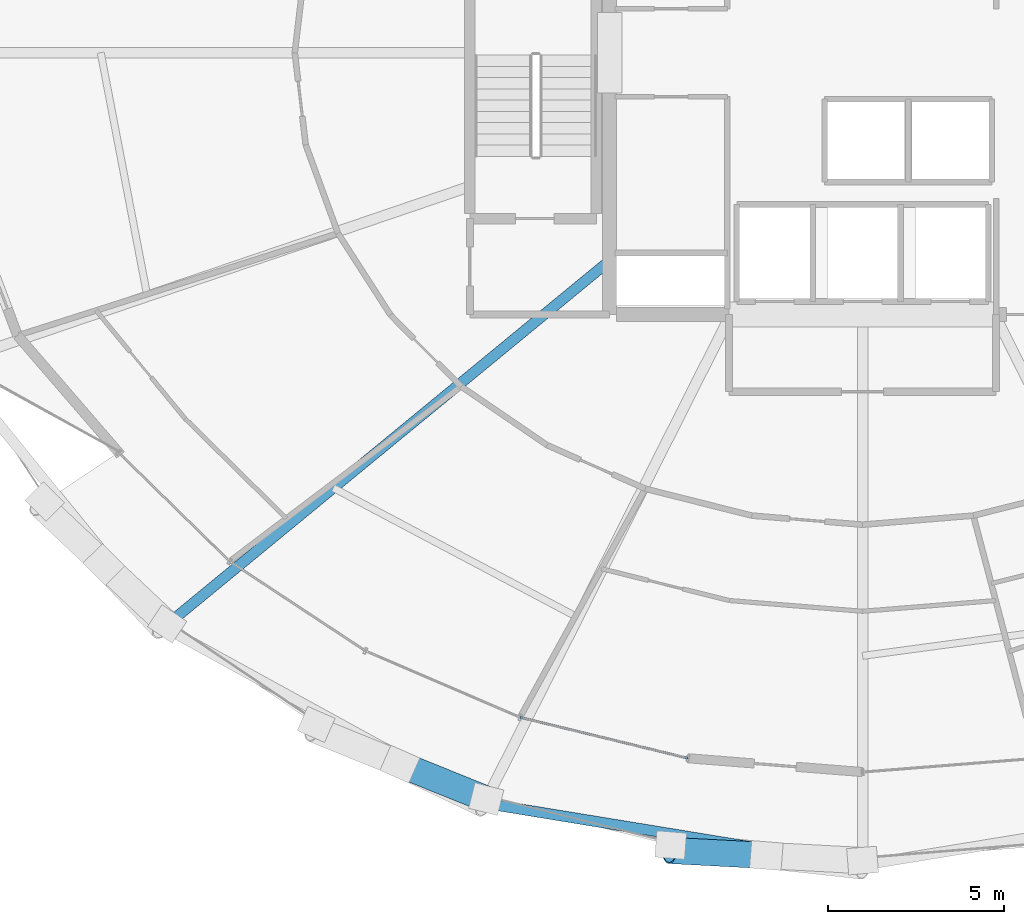
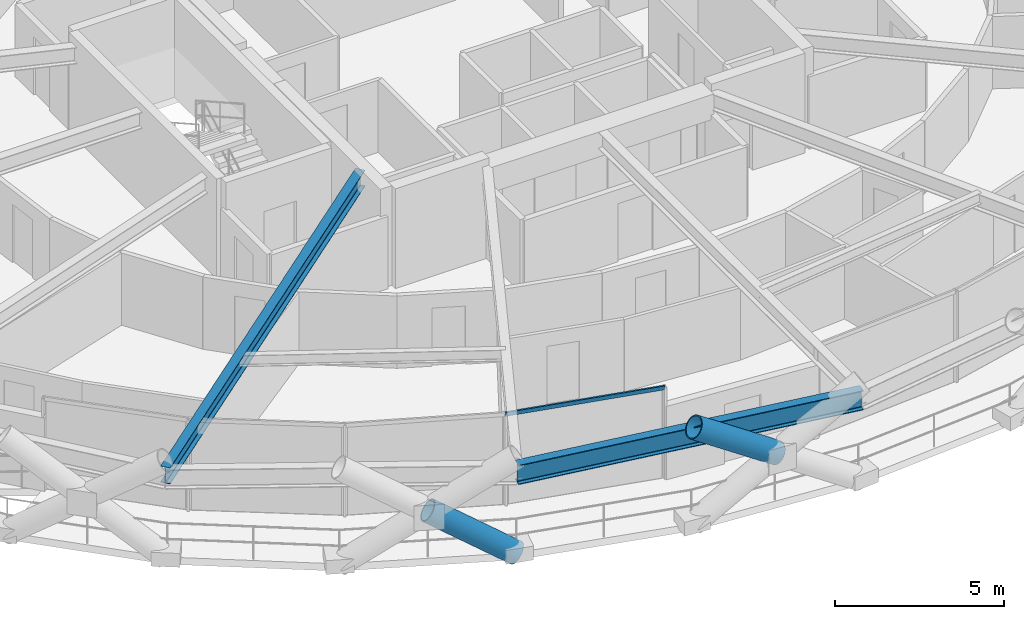
# One storey, part 3 of 18: 3 members, 2 beams, 1 element without a shape of its own.
"""IFC4 building model written with IfcOpenShell, lengths in metres."""

from ifc_helpers import new_model, si_unit, direction, frame, origin, origin_2d, place, context, subcontext, project, spatial, hollow_rectangle, hollow_circle, i_section, extrude, material, layer, layer_set, material_profile, profile_set, type_object, element, aggregate, save


model = new_model("IFC4")

# Units and contexts
model_context = context("Model", 3, precision=1e-05, world=origin(), true_north=direction((0.0, 1.0)))
body_context = subcontext(model_context, "Body", "Model", "MODEL_VIEW")
ifc_project = project(units=[si_unit("LENGTHUNIT", "METRE"), si_unit("AREAUNIT", "SQUARE_METRE"), si_unit("VOLUMEUNIT", "CUBIC_METRE"), si_unit("PLANEANGLEUNIT", "RADIAN"), si_unit("MASSUNIT", "GRAM", prefix="KILO")], contexts=[model_context])

# Site, building, storey
site_placement = place(None, origin())
site = spatial("IfcSite", under=ifc_project, at=site_placement, CompositionType="ELEMENT")
building_placement = place(site_placement, origin())
building = spatial("IfcBuilding", under=site, at=building_placement, Name="Veldorina Hangang Commons", CompositionType="ELEMENT")
storey_placement = place(building_placement, frame((0.0, 0.0, 41.199951171875)))
storey = spatial("IfcBuildingStorey", under=building, at=storey_placement, Name="L09", CompositionType="ELEMENT", Elevation=41.199951171875)

# Beams
ifc_material_1 = material(Name="Steel SM460-TMC", Category="steel")
ifc_material_profile_1 = material_profile(ifc_material_1, i_section(OverallWidth=0.300048828125, OverallDepth=0.587890625, WebThickness=0.011962890625, FlangeThickness=0.02001953125, FilletRadius=0.01806640625, at=origin_2d()), Name="H-588x300x12x20")
ifc_profile_set_1 = profile_set([ifc_material_profile_1], Name="Steel SM460-TMC")
beam_type_1 = type_object("IfcBeamType", Name="BM-FG588", PredefinedType="BEAM", material=ifc_profile_set_1)
beam_1_placement = place(storey_placement, frame((24.800048828125, 18.080078125, 3.046142578125), z_axis=(-0.772422569241, -0.635108946975, 0.0), x_axis=(0.635108946975, -0.772422569241, 0.0)))
element("IfcBeam", 1, at=beam_1_placement, inside=storey, type_object=beam_type_1, Name="L09 radial floor girder 11", PredefinedType="BEAM", context=body_context, shape_type="SweptSolid", body=[
    extrude(i_section(OverallWidth=0.300048828125, OverallDepth=0.587890625, WebThickness=0.011962890625, FlangeThickness=0.02001953125, FilletRadius=0.01806640625, at=origin_2d()), origin(), (0.0, 0.0, 1.0), 16.425048828125),
])
ifc_material_profile_2 = material_profile(ifc_material_1, i_section(OverallWidth=0.300048828125, OverallDepth=0.699951171875, WebThickness=0.012939453125, FlangeThickness=0.02392578125, FilletRadius=0.02197265625, at=origin_2d()), Name="H-700x300x13x24")
ifc_profile_set_2 = profile_set([ifc_material_profile_2], Name="Steel SM460-TMC")
beam_type_2 = type_object("IfcBeamType", Name="BM-RB700", PredefinedType="BEAM", material=ifc_profile_set_2)
beam_2_placement = place(storey_placement, frame((21.2373046875, 2.6357421875, 2.989990234375), z_axis=(0.986887942247, -0.161406906442, 0.0), x_axis=(0.161406906442, 0.986887942247, 0.0)))
element("IfcBeam", 2, at=beam_2_placement, inside=storey, type_object=beam_type_2, Name="L09 perimeter hoop ring beam 22", PredefinedType="BEAM", context=body_context, shape_type="SweptSolid", body=[
    extrude(i_section(OverallWidth=0.300048828125, OverallDepth=0.699951171875, WebThickness=0.012939453125, FlangeThickness=0.02392578125, FilletRadius=0.02197265625, at=origin_2d()), origin(), (0.0, 0.0, 1.0), 10.90576171875),
])

# Curtain wall, member
ifc_material_2 = material(Name="Glass Low-E Triple IGU", Category="glass")
ifc_layer = layer(ifc_material_2, 0.179931640625)
ifc_layer_set = layer_set([ifc_layer], Name="Glass Low-E Triple IGU")
curtain_wall_type = type_object("IfcCurtainWallType", Name="CW-SYS-Z1", PredefinedType="NOTDEFINED", material=ifc_layer_set)
curtain_wall_placement = place(storey_placement, origin())
curtain_wall = element("IfcCurtainWall", 3, at=curtain_wall_placement, inside=storey, type_object=curtain_wall_type, Name="L09 unitised curtain wall CW-L09-R1", PredefinedType="NOTDEFINED")
ifc_material_3 = material(Name="Aluminium Anodized AA6063-T6", Category="aluminium")
ifc_material_profile_3 = material_profile(ifc_material_3, hollow_rectangle(XDim=0.06005859375, YDim=0.139892578125, WallThickness=0.00341796875, at=origin_2d()), Name="ALU-RHS-140x60x3.5")
ifc_profile_set_3 = profile_set([ifc_material_profile_3], Name="Aluminium Anodized AA6063-T6")
member_type_1 = type_object("IfcMemberType", Name="CW-TRN-140", PredefinedType="USERDEFINED", material=ifc_profile_set_3)
member_1_placement = place(storey_placement, frame((22.2509765625, 5.083251953125, 3.260009765625), z_axis=(0.971536220903, -0.236891054016, 0.0), x_axis=(0.236891054016, 0.971536220903, 0.0)))
member_1 = element("IfcMember", 4, at=member_1_placement, type_object=member_type_1, Name="CW-L09-R1 facet 4 transom 1", ObjectType="TRANSOM", PredefinedType="USERDEFINED", context=body_context, shape_type="SweptSolid", body=[
    extrude(hollow_rectangle(XDim=0.06005859375, YDim=0.139892578125, WallThickness=0.00341796875, at=origin_2d()), origin(), (0.0, 0.0, 1.0), 4.919189453125),
])
aggregate(curtain_wall, [member_1])

# Members
ifc_material_profile_4 = material_profile(ifc_material_1, hollow_circle(Radius=0.375, WallThickness=0.035888671875, at=origin_2d()), Name="CHS-750x36")
ifc_profile_set_4 = profile_set([ifc_material_profile_4], Name="Steel SM460-TMC")
member_type_2 = type_object("IfcMemberType", Name="DG-CHS750", PredefinedType="BRACE", material=ifc_profile_set_4)
member_2_placement = place(storey_placement, frame((21.28662109375, 2.7548828125, 0.0), z_axis=(-0.767494932251, 0.310598227403, 0.560785404682), x_axis=(-0.375136216122, -0.926969697107, 0.0)))
element("IfcMember", 5, at=member_2_placement, inside=storey, type_object=member_type_2, Name="L09 split perimeter diagrid lower brace 22", PredefinedType="BRACE", context=body_context, shape_type="SweptSolid", body=[
    extrude(hollow_circle(Radius=0.375, WallThickness=0.035888671875, at=origin_2d()), origin(), (0.0, 0.0, 1.0), 3.20068359375),
])
member_3_placement = place(storey_placement, frame((29.26171875, 1.148681640625, 1.795166015625), z_axis=(-0.835535775879, 0.044076938261, 0.547665217756), x_axis=(-0.052679654267, -0.998611462996, 0.0)))
element("IfcMember", 6, at=member_3_placement, inside=storey, type_object=member_type_2, Name="L09 split perimeter diagrid upper brace 24", PredefinedType="BRACE", context=body_context, shape_type="SweptSolid", body=[
    extrude(hollow_circle(Radius=0.375, WallThickness=0.035888671875, at=origin_2d()), origin(), (0.0, 0.0, 1.0), 3.295654296875),
])

save(model, "model.ifc")
